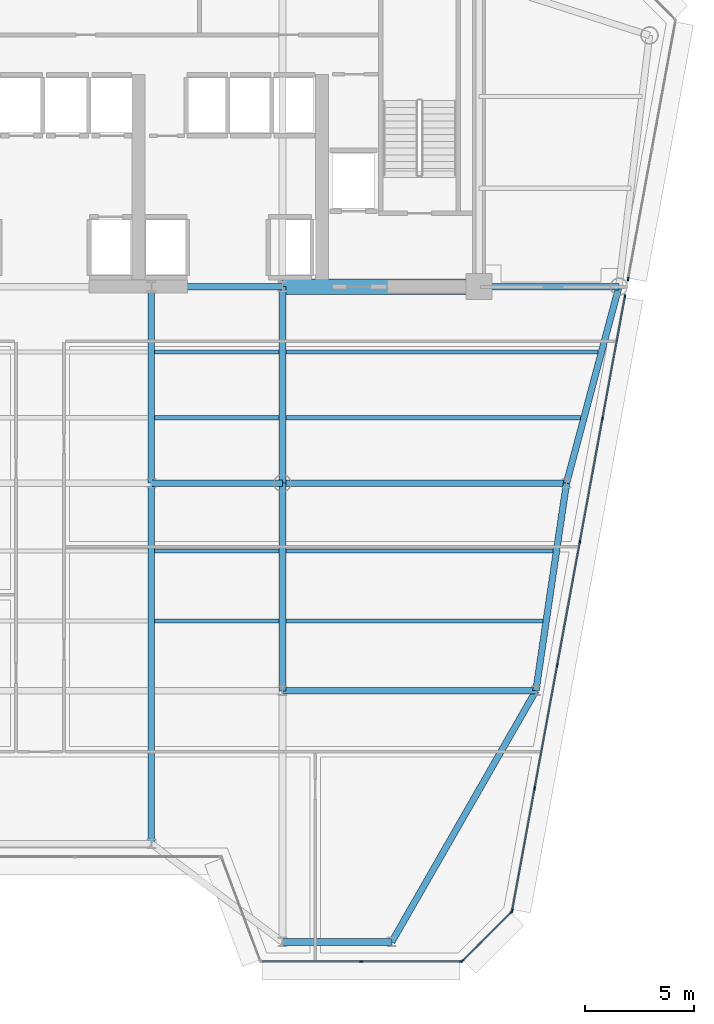
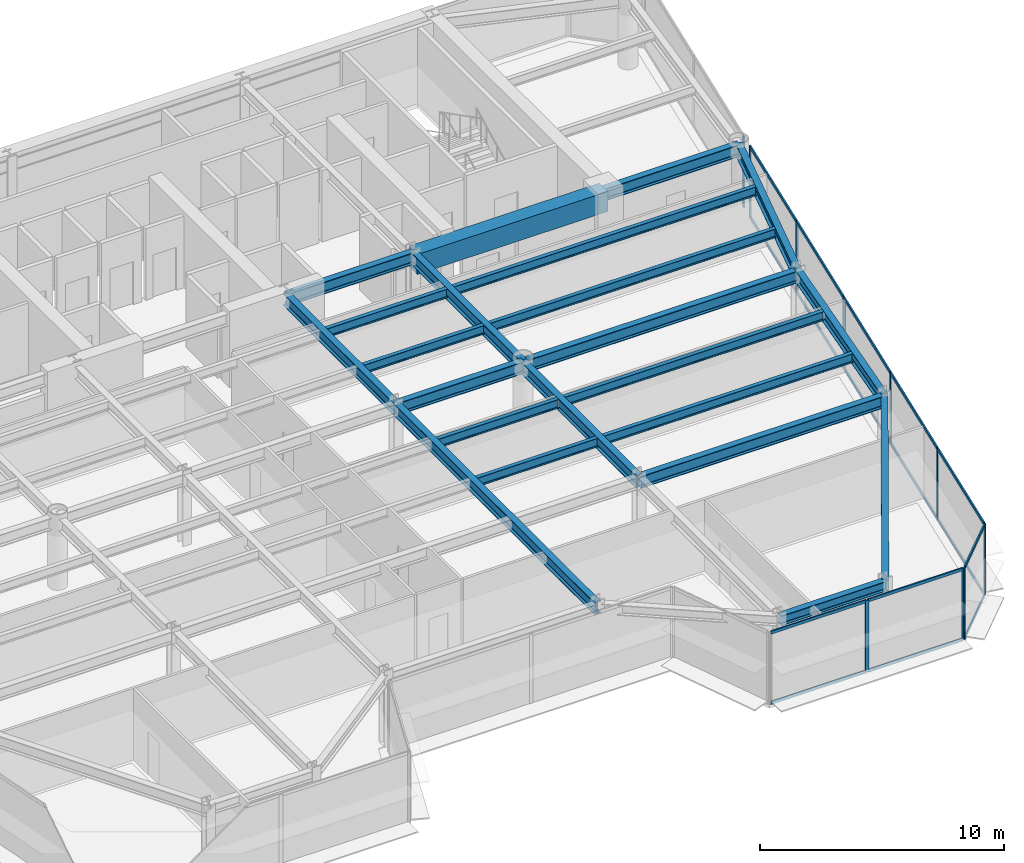
# One storey, part 6 of 16: 27 members, 22 beams, 4 elements without a shape of their own.
"""IFC4 building model written with IfcOpenShell, lengths in metres."""

from ifc_helpers import new_model, si_unit, direction, frame, origin, origin_2d, place, context, subcontext, project, spatial, rectangle, i_section, extrude, source, transform, mapped, material, layer, layer_set, material_profile, profile_set, type_object, element, aggregate, save


model = new_model("IFC4")

# Units and contexts
model_context = context("Model", 3, precision=1e-05, world=origin(), true_north=direction((0.0, 1.0)))
body_context = subcontext(model_context, "Body", "Model", "MODEL_VIEW")
ifc_project = project(units=[si_unit("LENGTHUNIT", "METRE"), si_unit("AREAUNIT", "SQUARE_METRE"), si_unit("VOLUMEUNIT", "CUBIC_METRE"), si_unit("PLANEANGLEUNIT", "RADIAN"), si_unit("MASSUNIT", "GRAM", prefix="KILO")], contexts=[model_context])

# Site, building, storey
site_placement = place(None, origin())
site = spatial("IfcSite", under=ifc_project, at=site_placement, CompositionType="ELEMENT")
building_placement = place(site_placement, origin())
building = spatial("IfcBuilding", under=site, at=building_placement, Name="Vaeldorn Concourse Tower", CompositionType="ELEMENT")
storey_placement = place(building_placement, frame((0.0, 0.0, 191.800048828125)))
storey = spatial("IfcBuildingStorey", under=building, at=storey_placement, Name="L49", CompositionType="ELEMENT", Elevation=191.800048828125)

# Beams
ifc_material_1 = material(Name="Concrete C50/60", Category="concrete")
ifc_material_profile_1 = material_profile(ifc_material_1, rectangle(XDim=0.699951171875, YDim=1.0, at=origin_2d()), Name="RC 700x1000")
ifc_profile_set_1 = profile_set([ifc_material_profile_1], Name="Concrete C50/60")
beam_type_1 = type_object("IfcBeamType", Name="BM-CB-RC700", PredefinedType="BEAM", material=ifc_profile_set_1)
shared_shape_1 = source(origin(), body_context, "Body", "SweptSolid", [
    extrude(rectangle(XDim=0.699951171875, YDim=1.0, at=origin_2d()), origin(), (0.0, 0.0, 1.0), 9.0),
])
beam_1_placement = place(storey_placement, frame((45.0, 36.5, 3.079833984375), z_axis=(1.0, 0.0, 0.0), x_axis=(0.0, 1.0, 0.0)))
element("IfcBeam", 1, at=beam_1_placement, inside=storey, type_object=beam_type_1, Name="Core Coupling Beam L49-2", PredefinedType="BEAM", context=body_context, shape_type="MappedRepresentation", body=[
    mapped(shared_shape_1, transform((0.0, 0.0, 0.0), scale=1.0)),
])
ifc_material_2 = material(Name="Steel S355", Category="steel")
ifc_material_profile_2 = material_profile(ifc_material_2, i_section(OverallWidth=0.300048828125, OverallDepth=0.5, WebThickness=0.014404296875, FlangeThickness=0.028076171875, FilletRadius=0.027099609375, at=origin_2d()), Name="HEB 500")
ifc_profile_set_2 = profile_set([ifc_material_profile_2], Name="Steel S355")
beam_type_2 = type_object("IfcBeamType", Name="BM-SP-HEB500", PredefinedType="SPANDREL", material=ifc_profile_set_2)
shared_shape_2 = source(origin(), body_context, "Body", "SweptSolid", [
    extrude(i_section(OverallWidth=0.300048828125, OverallDepth=0.5, WebThickness=0.014404296875, FlangeThickness=0.028076171875, FilletRadius=0.027099609375, at=origin_2d()), origin(), (0.0, 0.0, 1.0), 5.0),
])
beam_2_placement = place(storey_placement, frame((45.0, 6.5, 3.329833984375), z_axis=(1.0, 0.0, 0.0), x_axis=(0.0, 1.0, 0.0)))
element("IfcBeam", 2, at=beam_2_placement, inside=storey, type_object=beam_type_2, Name="Beam BM-L49-C-SF5-C-SF6", PredefinedType="SPANDREL", context=body_context, shape_type="MappedRepresentation", body=[
    mapped(shared_shape_2, transform((0.0, 0.0, 0.0), scale=1.0)),
])
ifc_material_profile_3 = material_profile(ifc_material_2, i_section(OverallWidth=0.18994140625, OverallDepth=0.449951171875, WebThickness=0.009521484375, FlangeThickness=0.0146484375, FilletRadius=0.02099609375, at=origin_2d()), Name="IPE 450")
ifc_profile_set_3 = profile_set([ifc_material_profile_3], Name="Steel S355")
beam_type_3 = type_object("IfcBeamType", Name="BM-JS-IPE450", PredefinedType="JOIST", material=ifc_profile_set_3)
shared_shape_3 = source(origin(), body_context, "Body", "SweptSolid", [
    extrude(i_section(OverallWidth=0.18994140625, OverallDepth=0.449951171875, WebThickness=0.009521484375, FlangeThickness=0.0146484375, FilletRadius=0.02099609375, at=origin_2d()), origin(), (0.0, 0.0, 1.0), 5.7001953125),
])
for number, where, z_axis, x_axis, name in (
    (3, (39.14990234375, 21.199951171875, 3.35498046875), (1.0, 0.0, 0.0), (0.0, 1.0, 0.0), "Beam JS-L49-E2-212"),
    (4, (39.14990234375, 24.39990234375, 3.35498046875), (1.0, 0.0, 0.0), (0.0, 1.0, 0.0), "Beam JS-L49-E2-244"),
    (5, (39.14990234375, 30.5, 3.35498046875), (1.0, 0.0, 0.0), (0.0, 1.0, 0.0), "Beam JS-L49-E2-305"),
    (6, (39.14990234375, 33.5, 3.35498046875), (1.0, 0.0, 0.0), (0.0, 1.0, 0.0), "Beam JS-L49-E2-335"),
):
    element("IfcBeam", number, at=place(storey_placement, frame(where, z_axis=z_axis, x_axis=x_axis)), inside=storey, type_object=beam_type_3, Name=name, PredefinedType="JOIST", context=body_context, shape_type="MappedRepresentation", body=[
        mapped(shared_shape_3, transform((0.0, 0.0, 0.0), scale=1.0)),
    ])
shared_shape_4 = source(origin(), body_context, "Body", "SweptSolid", [
    extrude(i_section(OverallWidth=0.18994140625, OverallDepth=0.449951171875, WebThickness=0.009521484375, FlangeThickness=0.0146484375, FilletRadius=0.02099609375, at=origin_2d()), origin(), (0.0, 0.0, 1.0), 11.771728515625),
])
beam_3_placement = place(storey_placement, frame((45.14990234375, 21.199951171875, 3.35498046875), z_axis=(1.0, 0.0, 0.0), x_axis=(0.0, 1.0, 0.0)))
element("IfcBeam", 7, at=beam_3_placement, inside=storey, type_object=beam_type_3, Name="Beam JS-L49-E1-212", PredefinedType="JOIST", context=body_context, shape_type="MappedRepresentation", body=[
    mapped(shared_shape_4, transform((0.0, 0.0, 0.0), scale=1.0)),
])
shared_shape_5 = source(origin(), body_context, "Body", "SweptSolid", [
    extrude(i_section(OverallWidth=0.18994140625, OverallDepth=0.449951171875, WebThickness=0.009521484375, FlangeThickness=0.0146484375, FilletRadius=0.02099609375, at=origin_2d()), origin(), (0.0, 0.0, 1.0), 12.243408203125),
])
beam_4_placement = place(storey_placement, frame((45.14990234375, 24.39990234375, 3.35498046875), z_axis=(1.0, 0.0, 0.0), x_axis=(0.0, 1.0, 0.0)))
element("IfcBeam", 8, at=beam_4_placement, inside=storey, type_object=beam_type_3, Name="Beam JS-L49-E1-244", PredefinedType="JOIST", context=body_context, shape_type="MappedRepresentation", body=[
    mapped(shared_shape_5, transform((0.0, 0.0, 0.0), scale=1.0)),
])
shared_shape_6 = source(origin(), body_context, "Body", "SweptSolid", [
    extrude(i_section(OverallWidth=0.18994140625, OverallDepth=0.449951171875, WebThickness=0.009521484375, FlangeThickness=0.0146484375, FilletRadius=0.02099609375, at=origin_2d()), origin(), (0.0, 0.0, 1.0), 13.5),
])
beam_5_placement = place(storey_placement, frame((45.14990234375, 30.5, 3.35498046875), z_axis=(1.0, 0.0, 0.0), x_axis=(0.0, 1.0, 0.0)))
element("IfcBeam", 9, at=beam_5_placement, inside=storey, type_object=beam_type_3, Name="Beam JS-L49-E1-305", PredefinedType="JOIST", context=body_context, shape_type="MappedRepresentation", body=[
    mapped(shared_shape_6, transform((0.0, 0.0, 0.0), scale=1.0)),
])
shared_shape_7 = source(origin(), body_context, "Body", "SweptSolid", [
    extrude(i_section(OverallWidth=0.18994140625, OverallDepth=0.449951171875, WebThickness=0.009521484375, FlangeThickness=0.0146484375, FilletRadius=0.02099609375, at=origin_2d()), origin(), (0.0, 0.0, 1.0), 14.300048828125),
])
beam_6_placement = place(storey_placement, frame((45.14990234375, 33.5, 3.35498046875), z_axis=(1.0, 0.0, 0.0), x_axis=(0.0, 1.0, 0.0)))
element("IfcBeam", 10, at=beam_6_placement, inside=storey, type_object=beam_type_3, Name="Beam JS-L49-E1-335", PredefinedType="JOIST", context=body_context, shape_type="MappedRepresentation", body=[
    mapped(shared_shape_7, transform((0.0, 0.0, 0.0), scale=1.0)),
])
ifc_material_profile_4 = material_profile(ifc_material_2, i_section(OverallWidth=0.300048828125, OverallDepth=0.60009765625, WebThickness=0.015380859375, FlangeThickness=0.030029296875, FilletRadius=0.027099609375, at=origin_2d()), Name="HEB 600")
ifc_profile_set_4 = profile_set([ifc_material_profile_4], Name="Steel S355")
beam_type_4 = type_object("IfcBeamType", Name="BM-PG-HEB600", PredefinedType="BEAM", material=ifc_profile_set_4)
shared_shape_8 = source(origin(), body_context, "Body", "SweptSolid", [
    extrude(i_section(OverallWidth=0.300048828125, OverallDepth=0.60009765625, WebThickness=0.015380859375, FlangeThickness=0.030029296875, FilletRadius=0.027099609375, at=origin_2d()), origin(), (0.0, 0.0, 1.0), 6.0),
])
for number, where, z_axis, x_axis, name in (
    (11, (39.0, 36.5, 3.280029296875), (1.0, 0.0, 0.0), (0.0, 1.0, 0.0), "Beam BM-L49-C-FC4-C-FC5"),
    (12, (39.0, 27.5, 3.280029296875), (1.0, 0.0, 0.0), (0.0, 1.0, 0.0), "Beam BM-L49-C-TW3-C-TW4"),
):
    element("IfcBeam", number, at=place(storey_placement, frame(where, z_axis=z_axis, x_axis=x_axis)), inside=storey, type_object=beam_type_4, Name=name, PredefinedType="BEAM", context=body_context, shape_type="MappedRepresentation", body=[
        mapped(shared_shape_8, transform((0.0, 0.0, 0.0), scale=1.0)),
    ])
shared_shape_9 = source(origin(), body_context, "Body", "SweptSolid", [
    extrude(i_section(OverallWidth=0.300048828125, OverallDepth=0.60009765625, WebThickness=0.015380859375, FlangeThickness=0.030029296875, FilletRadius=0.027099609375, at=origin_2d()), origin(), (0.0, 0.0, 1.0), 9.0),
])
for number, where, z_axis, x_axis, name in (
    (13, (39.0, 27.5, 3.280029296875), (0.0, 1.0, 0.0), (-1.0, 0.0, 0.0), "Beam BM-L49-C-TW3-C-FC4"),
    (14, (45.0, 27.5, 3.280029296875), (0.0, 1.0, 0.0), (-1.0, 0.0, 0.0), "Beam BM-L49-C-TW4-C-FC5"),
):
    element("IfcBeam", number, at=place(storey_placement, frame(where, z_axis=z_axis, x_axis=x_axis)), inside=storey, type_object=beam_type_4, Name=name, PredefinedType="BEAM", context=body_context, shape_type="MappedRepresentation", body=[
        mapped(shared_shape_9, transform((0.0, 0.0, 0.0), scale=1.0)),
    ])
shared_shape_10 = source(origin(), body_context, "Body", "SweptSolid", [
    extrude(i_section(OverallWidth=0.300048828125, OverallDepth=0.60009765625, WebThickness=0.015380859375, FlangeThickness=0.030029296875, FilletRadius=0.027099609375, at=origin_2d()), origin(), (0.0, 0.0, 1.0), 6.39990234375),
])
beam_7_placement = place(storey_placement, frame((54.0, 36.5, 3.280029296875), z_axis=(1.0, 0.0, 0.0), x_axis=(0.0, 1.0, 0.0)))
element("IfcBeam", 15, at=beam_7_placement, inside=storey, type_object=beam_type_4, Name="Beam BM-L49-C-FC6-C-NE2", PredefinedType="BEAM", context=body_context, shape_type="MappedRepresentation", body=[
    mapped(shared_shape_10, transform((0.0, 0.0, 0.0), scale=1.0)),
])
shared_shape_11 = source(origin(), body_context, "Body", "SweptSolid", [
    extrude(i_section(OverallWidth=0.300048828125, OverallDepth=0.60009765625, WebThickness=0.015380859375, FlangeThickness=0.030029296875, FilletRadius=0.027099609375, at=origin_2d()), origin(), (0.0, 0.0, 1.0), 9.314453125),
])
beam_8_placement = place(storey_placement, frame((60.39990234375, 36.5, 3.280029296875), z_axis=(-0.257652862255, -0.966237549763, 0.0), x_axis=(0.966237549763, -0.257652862255, 0.0)))
element("IfcBeam", 16, at=beam_8_placement, inside=storey, type_object=beam_type_4, Name="Beam BM-L49-C-NE2-C-FLE1", PredefinedType="BEAM", context=body_context, shape_type="MappedRepresentation", body=[
    mapped(shared_shape_11, transform((0.0, 0.0, 0.0), scale=1.0)),
])
shared_shape_12 = source(origin(), body_context, "Body", "SweptSolid", [
    extrude(i_section(OverallWidth=0.300048828125, OverallDepth=0.60009765625, WebThickness=0.015380859375, FlangeThickness=0.030029296875, FilletRadius=0.027099609375, at=origin_2d()), origin(), (0.0, 0.0, 1.0), 13.0),
])
beam_9_placement = place(storey_placement, frame((45.0, 27.5, 3.280029296875), z_axis=(1.0, 0.0, 0.0), x_axis=(0.0, 1.0, 0.0)))
element("IfcBeam", 17, at=beam_9_placement, inside=storey, type_object=beam_type_4, Name="Beam BM-L49-C-TW4-C-FLE1", PredefinedType="BEAM", context=body_context, shape_type="MappedRepresentation", body=[
    mapped(shared_shape_12, transform((0.0, 0.0, 0.0), scale=1.0)),
])
shared_shape_13 = source(origin(), body_context, "Body", "SweptSolid", [
    extrude(i_section(OverallWidth=0.300048828125, OverallDepth=0.60009765625, WebThickness=0.015380859375, FlangeThickness=0.030029296875, FilletRadius=0.027099609375, at=origin_2d()), origin(), (0.0, 0.0, 1.0), 9.6025390625),
])
beam_10_placement = place(storey_placement, frame((58.0, 27.5, 3.280029296875), z_axis=(-0.145783835977, -0.989316467652, 0.0), x_axis=(0.989316467652, -0.145783835977, 0.0)))
element("IfcBeam", 18, at=beam_10_placement, inside=storey, type_object=beam_type_4, Name="Beam BM-L49-C-FLE1-C-FLE2", PredefinedType="BEAM", context=body_context, shape_type="MappedRepresentation", body=[
    mapped(shared_shape_13, transform((0.0, 0.0, 0.0), scale=1.0)),
])
shared_shape_14 = source(origin(), body_context, "Body", "SweptSolid", [
    extrude(i_section(OverallWidth=0.300048828125, OverallDepth=0.60009765625, WebThickness=0.015380859375, FlangeThickness=0.030029296875, FilletRadius=0.027099609375, at=origin_2d()), origin(), (0.0, 0.0, 1.0), 11.60009765625),
])
beam_11_placement = place(storey_placement, frame((45.0, 18.0, 3.280029296875), z_axis=(1.0, 0.0, 0.0), x_axis=(0.0, 1.0, 0.0)))
element("IfcBeam", 19, at=beam_11_placement, inside=storey, type_object=beam_type_4, Name="Beam BM-L49-C-TW6-C-FLE2", PredefinedType="BEAM", context=body_context, shape_type="MappedRepresentation", body=[
    mapped(shared_shape_14, transform((0.0, 0.0, 0.0), scale=1.0)),
])
shared_shape_15 = source(origin(), body_context, "Body", "SweptSolid", [
    extrude(i_section(OverallWidth=0.300048828125, OverallDepth=0.60009765625, WebThickness=0.015380859375, FlangeThickness=0.030029296875, FilletRadius=0.027099609375, at=origin_2d()), origin(), (0.0, 0.0, 1.0), 9.5),
])
beam_12_placement = place(storey_placement, frame((45.0, 18.0, 3.280029296875), z_axis=(0.0, 1.0, 0.0), x_axis=(-1.0, 0.0, 0.0)))
element("IfcBeam", 20, at=beam_12_placement, inside=storey, type_object=beam_type_4, Name="Beam BM-L49-C-TW6-C-TW4", PredefinedType="BEAM", context=body_context, shape_type="MappedRepresentation", body=[
    mapped(shared_shape_15, transform((0.0, 0.0, 0.0), scale=1.0)),
])
shared_shape_16 = source(origin(), body_context, "Body", "SweptSolid", [
    extrude(i_section(OverallWidth=0.300048828125, OverallDepth=0.60009765625, WebThickness=0.015380859375, FlangeThickness=0.030029296875, FilletRadius=0.027099609375, at=origin_2d()), origin(), (0.0, 0.0, 1.0), 13.25927734375),
])
beam_13_placement = place(storey_placement, frame((50.0, 6.5, 3.280029296875), z_axis=(0.497768009943, 0.867310214558, 0.0), x_axis=(-0.867310214558, 0.497768009943, 0.0)))
element("IfcBeam", 21, at=beam_13_placement, inside=storey, type_object=beam_type_4, Name="Beam BM-L49-C-SF6-C-FLE2", PredefinedType="BEAM", context=body_context, shape_type="MappedRepresentation", body=[
    mapped(shared_shape_16, transform((0.0, 0.0, 0.0), scale=1.0)),
])
shared_shape_17 = source(origin(), body_context, "Body", "SweptSolid", [
    extrude(i_section(OverallWidth=0.300048828125, OverallDepth=0.60009765625, WebThickness=0.015380859375, FlangeThickness=0.030029296875, FilletRadius=0.027099609375, at=origin_2d()), origin(), (0.0, 0.0, 1.0), 16.5),
])
beam_14_placement = place(storey_placement, frame((39.0, 11.0, 3.280029296875), z_axis=(0.0, 1.0, 0.0), x_axis=(-1.0, 0.0, 0.0)))
element("IfcBeam", 22, at=beam_14_placement, inside=storey, type_object=beam_type_4, Name="Beam BM-L49-C-SF4-C-TW3", PredefinedType="BEAM", context=body_context, shape_type="MappedRepresentation", body=[
    mapped(shared_shape_17, transform((0.0, 0.0, 0.0), scale=1.0)),
])

# Curtain wall, members
ifc_material_3 = material(Name="Anodised Bronze Aluminium", Category="aluminium")
ifc_layer = layer(ifc_material_3, 0.18994140625)
ifc_layer_set = layer_set([ifc_layer], Name="Anodised Bronze Aluminium")
curtain_wall_type = type_object("IfcCurtainWallType", Name="CW-SYS-03", PredefinedType="NOTDEFINED", material=ifc_layer_set)
curtain_wall_1_placement = place(storey_placement, origin())
curtain_wall_1 = element("IfcCurtainWall", 23, at=curtain_wall_1_placement, inside=storey, type_object=curtain_wall_type, Name="Unitised Curtain Wall CW-L49-E05-1", PredefinedType="NOTDEFINED")
ifc_material_profile_5 = material_profile(ifc_material_3, rectangle(XDim=0.06494140625, YDim=0.169921875, at=origin_2d()), Name="CWM 65x170")
ifc_profile_set_5 = profile_set([ifc_material_profile_5], Name="Anodised Bronze Aluminium")
member_type_1 = type_object("IfcMemberType", Name="CWM-BRONZE-170", PredefinedType="MULLION", material=ifc_profile_set_5)
shared_shape_18 = source(origin(), body_context, "Body", "SweptSolid", [
    extrude(rectangle(XDim=0.06494140625, YDim=0.169921875, at=origin_2d()), origin(), (0.0, 0.0, 1.0), 3.579833984375),
])
member_1_placement = place(storey_placement, frame((48.6044921875, 5.60009765625, 0.0), z_axis=(0.0, 0.0, 1.0), x_axis=(0.0, 1.0, 0.0)))
member_1 = element("IfcMember", 24, at=member_1_placement, type_object=member_type_1, Name="CW-03 mullion 2", PredefinedType="MULLION", context=body_context, shape_type="MappedRepresentation", body=[
    mapped(shared_shape_18, transform((0.0, 0.0, 0.0), scale=1.0)),
])
member_2_placement = place(storey_placement, frame((53.176513671875, 5.60009765625, 0.0), z_axis=(0.0, 0.0, 1.0), x_axis=(0.0, 1.0, 0.0)))
member_2 = element("IfcMember", 25, at=member_2_placement, type_object=member_type_1, Name="CW-03 mullion 3", PredefinedType="MULLION", context=body_context, shape_type="MappedRepresentation", body=[
    mapped(shared_shape_18, transform((0.0, 0.0, 0.0), scale=1.0)),
])

curtain_wall_2_placement = place(storey_placement, origin())
curtain_wall_2 = element("IfcCurtainWall", 26, at=curtain_wall_2_placement, inside=storey, type_object=curtain_wall_type, Name="Unitised Curtain Wall CW-L49-E06-1", PredefinedType="NOTDEFINED")
member_3_placement = place(storey_placement, frame((53.23193359375, 5.623046875, 0.0), z_axis=(0.0, 0.0, 1.0), x_axis=(-0.707106781187, 0.707106781187, 0.0)))
member_3 = element("IfcMember", 27, at=member_3_placement, type_object=member_type_1, Name="CW-03 mullion 1", PredefinedType="MULLION", context=body_context, shape_type="MappedRepresentation", body=[
    mapped(shared_shape_18, transform((0.0, 0.0, 0.0), scale=1.0)),
])
member_4_placement = place(storey_placement, frame((55.486083984375, 7.876953125, 0.0), z_axis=(0.0, 0.0, 1.0), x_axis=(-0.707106781187, 0.707106781187, 0.0)))
member_4 = element("IfcMember", 28, at=member_4_placement, type_object=member_type_1, Name="CW-03 mullion 2", PredefinedType="MULLION", context=body_context, shape_type="MappedRepresentation", body=[
    mapped(shared_shape_18, transform((0.0, 0.0, 0.0), scale=1.0)),
])

curtain_wall_3_placement = place(storey_placement, origin())
curtain_wall_3 = element("IfcCurtainWall", 29, at=curtain_wall_3_placement, inside=storey, type_object=curtain_wall_type, Name="Unitised Curtain Wall CW-L49-E07-1", PredefinedType="NOTDEFINED")
member_5_placement = place(storey_placement, frame((55.514892578125, 7.931884765625, 0.0), z_axis=(0.0, 0.0, 1.0), x_axis=(-0.983559325018, 0.180585309951, 0.0)))
member_5 = element("IfcMember", 30, at=member_5_placement, type_object=member_type_1, Name="CW-03 mullion 1", PredefinedType="MULLION", context=body_context, shape_type="MappedRepresentation", body=[
    mapped(shared_shape_18, transform((0.0, 0.0, 0.0), scale=1.0)),
])
member_6_placement = place(storey_placement, frame((56.5439453125, 13.53662109375, 0.0), z_axis=(0.0, 0.0, 1.0), x_axis=(-0.983559325018, 0.180585309951, 0.0)))
member_6 = element("IfcMember", 31, at=member_6_placement, type_object=member_type_1, Name="CW-03 mullion 2", PredefinedType="MULLION", context=body_context, shape_type="MappedRepresentation", body=[
    mapped(shared_shape_18, transform((0.0, 0.0, 0.0), scale=1.0)),
])
member_7_placement = place(storey_placement, frame((57.578857421875, 19.17333984375, 0.0), z_axis=(0.0, 0.0, 1.0), x_axis=(-0.983559325018, 0.180585309951, 0.0)))
member_7 = element("IfcMember", 32, at=member_7_placement, type_object=member_type_1, Name="CW-03 mullion 3", PredefinedType="MULLION", context=body_context, shape_type="MappedRepresentation", body=[
    mapped(shared_shape_18, transform((0.0, 0.0, 0.0), scale=1.0)),
])
member_8_placement = place(storey_placement, frame((58.61376953125, 24.81005859375, 0.0), z_axis=(0.0, 0.0, 1.0), x_axis=(-0.983559325018, 0.180585309951, 0.0)))
member_8 = element("IfcMember", 33, at=member_8_placement, type_object=member_type_1, Name="CW-03 mullion 4", PredefinedType="MULLION", context=body_context, shape_type="MappedRepresentation", body=[
    mapped(shared_shape_18, transform((0.0, 0.0, 0.0), scale=1.0)),
])
member_9_placement = place(storey_placement, frame((59.648681640625, 30.44677734375, 0.0), z_axis=(0.0, 0.0, 1.0), x_axis=(-0.983559325018, 0.180585309951, 0.0)))
member_9 = element("IfcMember", 34, at=member_9_placement, type_object=member_type_1, Name="CW-03 mullion 5", PredefinedType="MULLION", context=body_context, shape_type="MappedRepresentation", body=[
    mapped(shared_shape_18, transform((0.0, 0.0, 0.0), scale=1.0)),
])
member_10_placement = place(storey_placement, frame((60.677734375, 36.051513671875, 0.0), z_axis=(0.0, 0.0, 1.0), x_axis=(-0.983559325018, 0.180585309951, 0.0)))
member_10 = element("IfcMember", 35, at=member_10_placement, type_object=member_type_1, Name="CW-03 mullion 6", PredefinedType="MULLION", context=body_context, shape_type="MappedRepresentation", body=[
    mapped(shared_shape_18, transform((0.0, 0.0, 0.0), scale=1.0)),
])

# Curtain wall, member
curtain_wall_4_placement = place(storey_placement, origin())
curtain_wall_4 = element("IfcCurtainWall", 36, at=curtain_wall_4_placement, inside=storey, type_object=curtain_wall_type, Name="Unitised Curtain Wall CW-L49-E07-2", PredefinedType="NOTDEFINED")
member_11_placement = place(storey_placement, frame((60.822265625, 36.83935546875, 0.0), z_axis=(0.0, 0.0, 1.0), x_axis=(-0.983559459619, 0.180584576845, 0.0)))
member_11 = element("IfcMember", 37, at=member_11_placement, type_object=member_type_1, Name="CW-03 mullion 1", PredefinedType="MULLION", context=body_context, shape_type="MappedRepresentation", body=[
    mapped(shared_shape_18, transform((0.0, 0.0, 0.0), scale=1.0)),
])
aggregate(curtain_wall_4, [member_11])

# Member
ifc_material_profile_6 = material_profile(ifc_material_3, rectangle(XDim=0.06494140625, YDim=0.14990234375, at=origin_2d()), Name="CWT 65x150")
ifc_profile_set_6 = profile_set([ifc_material_profile_6], Name="Anodised Bronze Aluminium")
member_type_2 = type_object("IfcMemberType", Name="CWT-BRONZE-150", PredefinedType="USERDEFINED", material=ifc_profile_set_6)
shared_shape_19 = source(origin(), body_context, "Body", "SweptSolid", [
    extrude(rectangle(XDim=0.06494140625, YDim=0.14990234375, at=origin_2d()), origin(), (0.0, 0.0, 1.0), 3.122802734375),
])
member_12_placement = place(storey_placement, frame((53.2548828125, 5.64599609375, 0.032470703125), z_axis=(0.707145870536, 0.707067689676, 0.0), x_axis=(-0.707067689676, 0.707145870536, 0.0)))
member_12 = element("IfcMember", 38, at=member_12_placement, type_object=member_type_2, Name="CW-03 transom 1.1", ObjectType="TRANSOM", PredefinedType="USERDEFINED", context=body_context, shape_type="MappedRepresentation", body=[
    mapped(shared_shape_19, transform((0.0, 0.0, 0.0), scale=1.0)),
])

member_13_placement = place(storey_placement, frame((53.2548828125, 5.64599609375, 3.54736328125), z_axis=(0.707145870536, 0.707067689676, 0.0), x_axis=(-0.707067689676, 0.707145870536, 0.0)))
member_13 = element("IfcMember", 39, at=member_13_placement, type_object=member_type_2, Name="CW-03 transom 1.2", ObjectType="TRANSOM", PredefinedType="USERDEFINED", context=body_context, shape_type="MappedRepresentation", body=[
    mapped(shared_shape_19, transform((0.0, 0.0, 0.0), scale=1.0)),
])

aggregate(curtain_wall_2, [member_3, member_4, member_12, member_13])

shared_shape_20 = source(origin(), body_context, "Body", "SweptSolid", [
    extrude(rectangle(XDim=0.06494140625, YDim=0.14990234375, at=origin_2d()), origin(), (0.0, 0.0, 1.0), 5.63330078125),
])
member_14_placement = place(storey_placement, frame((55.520751953125, 7.9638671875, 0.032470703125), z_axis=(0.180589917692, 0.983558479008, 0.0), x_axis=(-0.983558479008, 0.180589917692, 0.0)))
member_14 = element("IfcMember", 40, at=member_14_placement, type_object=member_type_2, Name="CW-03 transom 1.1", ObjectType="TRANSOM", PredefinedType="USERDEFINED", context=body_context, shape_type="MappedRepresentation", body=[
    mapped(shared_shape_20, transform((0.0, 0.0, 0.0), scale=1.0)),
])

member_15_placement = place(storey_placement, frame((55.520751953125, 7.9638671875, 3.54736328125), z_axis=(0.180589917692, 0.983558479008, 0.0), x_axis=(-0.983558479008, 0.180589917692, 0.0)))
member_15 = element("IfcMember", 41, at=member_15_placement, type_object=member_type_2, Name="CW-03 transom 1.2", ObjectType="TRANSOM", PredefinedType="USERDEFINED", context=body_context, shape_type="MappedRepresentation", body=[
    mapped(shared_shape_20, transform((0.0, 0.0, 0.0), scale=1.0)),
])

member_16_placement = place(storey_placement, frame((59.654541015625, 30.478759765625, 0.032470703125), z_axis=(0.180589917692, 0.983558479008, 0.0), x_axis=(-0.983558479008, 0.180589917692, 0.0)))
member_16 = element("IfcMember", 42, at=member_16_placement, type_object=member_type_2, Name="CW-03 transom 5.1", ObjectType="TRANSOM", PredefinedType="USERDEFINED", context=body_context, shape_type="MappedRepresentation", body=[
    mapped(shared_shape_20, transform((0.0, 0.0, 0.0), scale=1.0)),
])

member_17_placement = place(storey_placement, frame((59.654541015625, 30.478759765625, 3.54736328125), z_axis=(0.180589917692, 0.983558479008, 0.0), x_axis=(-0.983558479008, 0.180589917692, 0.0)))
member_17 = element("IfcMember", 43, at=member_17_placement, type_object=member_type_2, Name="CW-03 transom 5.2", ObjectType="TRANSOM", PredefinedType="USERDEFINED", context=body_context, shape_type="MappedRepresentation", body=[
    mapped(shared_shape_20, transform((0.0, 0.0, 0.0), scale=1.0)),
])

shared_shape_21 = source(origin(), body_context, "Body", "SweptSolid", [
    extrude(rectangle(XDim=0.06494140625, YDim=0.14990234375, at=origin_2d()), origin(), (0.0, 0.0, 1.0), 5.666015625),
])
member_18_placement = place(storey_placement, frame((56.5498046875, 13.568603515625, 0.032470703125), z_axis=(0.180587719149, 0.983558882677, 0.0), x_axis=(-0.983558882677, 0.180587719149, 0.0)))
member_18 = element("IfcMember", 44, at=member_18_placement, type_object=member_type_2, Name="CW-03 transom 2.1", ObjectType="TRANSOM", PredefinedType="USERDEFINED", context=body_context, shape_type="MappedRepresentation", body=[
    mapped(shared_shape_21, transform((0.0, 0.0, 0.0), scale=1.0)),
])

member_19_placement = place(storey_placement, frame((56.5498046875, 13.568603515625, 3.54736328125), z_axis=(0.180587719149, 0.983558882677, 0.0), x_axis=(-0.983558882677, 0.180587719149, 0.0)))
member_19 = element("IfcMember", 45, at=member_19_placement, type_object=member_type_2, Name="CW-03 transom 2.2", ObjectType="TRANSOM", PredefinedType="USERDEFINED", context=body_context, shape_type="MappedRepresentation", body=[
    mapped(shared_shape_21, transform((0.0, 0.0, 0.0), scale=1.0)),
])

member_20_placement = place(storey_placement, frame((57.584716796875, 19.205322265625, 0.032470703125), z_axis=(0.180587719149, 0.983558882677, 0.0), x_axis=(-0.983558882677, 0.180587719149, 0.0)))
member_20 = element("IfcMember", 46, at=member_20_placement, type_object=member_type_2, Name="CW-03 transom 3.1", ObjectType="TRANSOM", PredefinedType="USERDEFINED", context=body_context, shape_type="MappedRepresentation", body=[
    mapped(shared_shape_21, transform((0.0, 0.0, 0.0), scale=1.0)),
])

member_21_placement = place(storey_placement, frame((57.584716796875, 19.205322265625, 3.54736328125), z_axis=(0.180587719149, 0.983558882677, 0.0), x_axis=(-0.983558882677, 0.180587719149, 0.0)))
member_21 = element("IfcMember", 47, at=member_21_placement, type_object=member_type_2, Name="CW-03 transom 3.2", ObjectType="TRANSOM", PredefinedType="USERDEFINED", context=body_context, shape_type="MappedRepresentation", body=[
    mapped(shared_shape_21, transform((0.0, 0.0, 0.0), scale=1.0)),
])

member_22_placement = place(storey_placement, frame((58.61962890625, 24.842041015625, 0.032470703125), z_axis=(0.180587719149, 0.983558882677, 0.0), x_axis=(-0.983558882677, 0.180587719149, 0.0)))
member_22 = element("IfcMember", 48, at=member_22_placement, type_object=member_type_2, Name="CW-03 transom 4.1", ObjectType="TRANSOM", PredefinedType="USERDEFINED", context=body_context, shape_type="MappedRepresentation", body=[
    mapped(shared_shape_21, transform((0.0, 0.0, 0.0), scale=1.0)),
])

member_23_placement = place(storey_placement, frame((58.61962890625, 24.842041015625, 3.54736328125), z_axis=(0.180587719149, 0.983558882677, 0.0), x_axis=(-0.983558882677, 0.180587719149, 0.0)))
member_23 = element("IfcMember", 49, at=member_23_placement, type_object=member_type_2, Name="CW-03 transom 4.2", ObjectType="TRANSOM", PredefinedType="USERDEFINED", context=body_context, shape_type="MappedRepresentation", body=[
    mapped(shared_shape_21, transform((0.0, 0.0, 0.0), scale=1.0)),
])

aggregate(curtain_wall_3, [member_5, member_6, member_7, member_8, member_9, member_10, member_14, member_15, member_18, member_19, member_20, member_21, member_22, member_23, member_16, member_17])

shared_shape_22 = source(origin(), body_context, "Body", "SweptSolid", [
    extrude(rectangle(XDim=0.06494140625, YDim=0.14990234375, at=origin_2d()), origin(), (0.0, 0.0, 1.0), 4.507080078125),
])
member_24_placement = place(storey_placement, frame((44.06494140625, 5.60009765625, 0.032470703125), z_axis=(1.0, 0.0, 0.0), x_axis=(0.0, 1.0, 0.0)))
member_24 = element("IfcMember", 50, at=member_24_placement, type_object=member_type_2, Name="CW-03 transom 1.1", ObjectType="TRANSOM", PredefinedType="USERDEFINED", context=body_context, shape_type="MappedRepresentation", body=[
    mapped(shared_shape_22, transform((0.0, 0.0, 0.0), scale=1.0)),
])

member_25_placement = place(storey_placement, frame((44.06494140625, 5.60009765625, 3.54736328125), z_axis=(1.0, 0.0, 0.0), x_axis=(0.0, 1.0, 0.0)))
member_25 = element("IfcMember", 51, at=member_25_placement, type_object=member_type_2, Name="CW-03 transom 1.2", ObjectType="TRANSOM", PredefinedType="USERDEFINED", context=body_context, shape_type="MappedRepresentation", body=[
    mapped(shared_shape_22, transform((0.0, 0.0, 0.0), scale=1.0)),
])

member_26_placement = place(storey_placement, frame((48.636962890625, 5.60009765625, 0.032470703125), z_axis=(1.0, 0.0, 0.0), x_axis=(0.0, 1.0, 0.0)))
member_26 = element("IfcMember", 52, at=member_26_placement, type_object=member_type_2, Name="CW-03 transom 2.1", ObjectType="TRANSOM", PredefinedType="USERDEFINED", context=body_context, shape_type="MappedRepresentation", body=[
    mapped(shared_shape_22, transform((0.0, 0.0, 0.0), scale=1.0)),
])

member_27_placement = place(storey_placement, frame((48.636962890625, 5.60009765625, 3.54736328125), z_axis=(1.0, 0.0, 0.0), x_axis=(0.0, 1.0, 0.0)))
member_27 = element("IfcMember", 53, at=member_27_placement, type_object=member_type_2, Name="CW-03 transom 2.2", ObjectType="TRANSOM", PredefinedType="USERDEFINED", context=body_context, shape_type="MappedRepresentation", body=[
    mapped(shared_shape_22, transform((0.0, 0.0, 0.0), scale=1.0)),
])

aggregate(curtain_wall_1, [member_1, member_2, member_24, member_25, member_26, member_27])

save(model, "model.ifc")
